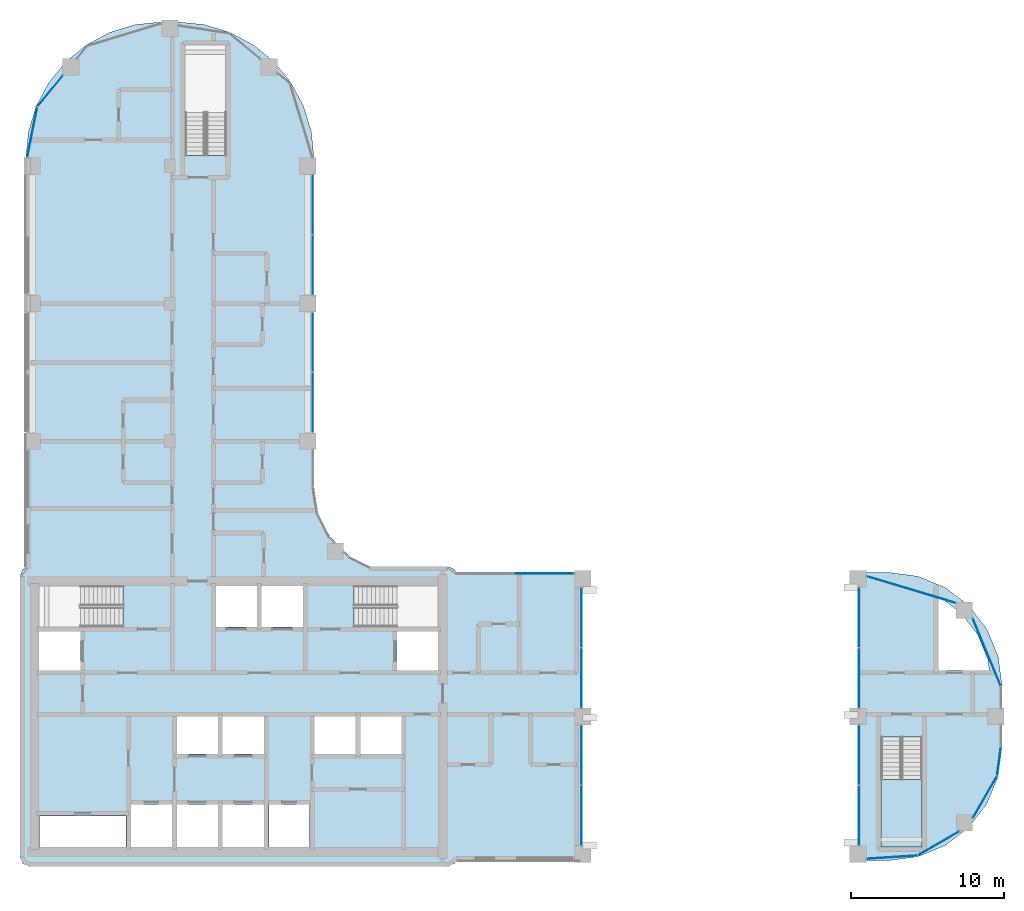
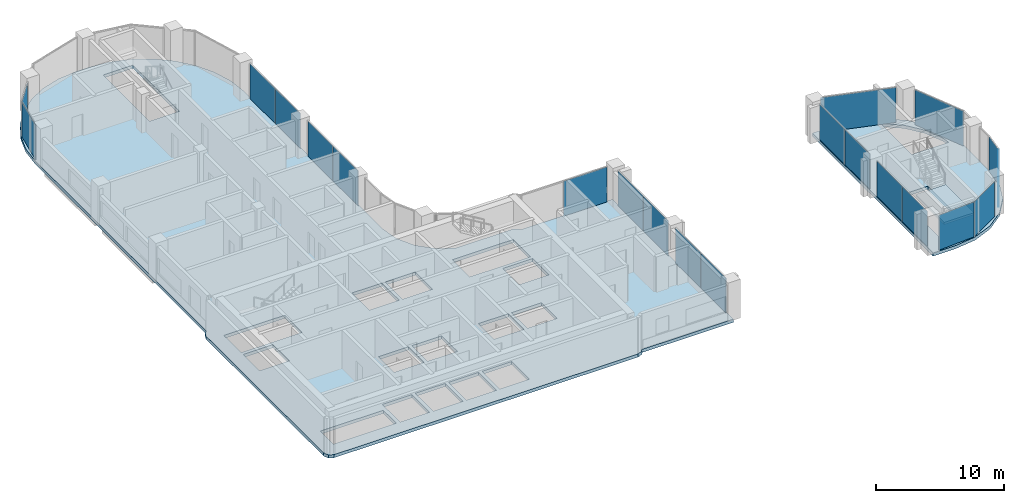
# One storey, part 8 of 21: 21 plates, 3 slabs, 13 elements without a shape of their own.
"""IFC4 building model written with IfcOpenShell, lengths in metres."""

from ifc_helpers import new_model, si_unit, direction, frame, origin, origin_2d, place, context, subcontext, project, spatial, polyline, rectangle, outline, extrude, material, layer, layer_set, type_object, element, aggregate, save


model = new_model("IFC4")

# Units and contexts
model_context = context("Model", 3, precision=1e-05, world=origin(), true_north=direction((0.0, 1.0)))
body_context = subcontext(model_context, "Body", "Model", "MODEL_VIEW")
ifc_project = project(units=[si_unit("LENGTHUNIT", "METRE"), si_unit("AREAUNIT", "SQUARE_METRE"), si_unit("VOLUMEUNIT", "CUBIC_METRE"), si_unit("PLANEANGLEUNIT", "RADIAN"), si_unit("MASSUNIT", "GRAM", prefix="KILO")], contexts=[model_context])

# Site, building, storey
site_placement = place(None, origin())
site = spatial("IfcSite", under=ifc_project, at=site_placement, CompositionType="ELEMENT")
building_placement = place(site_placement, origin())
building = spatial("IfcBuilding", under=site, at=building_placement, Name="Ogive Portal Towers", CompositionType="ELEMENT")
storey_placement = place(building_placement, frame((0.0, 0.0, 157.0)))
storey = spatial("IfcBuildingStorey", under=building, at=storey_placement, Name="L38", CompositionType="ELEMENT", Elevation=157.0)

# Curtain wall, plates
ifc_material_1 = material(Name="Glass, clear low-iron insulated glazing", Category="glass")
curtain_wall_type_1 = type_object("IfcCurtainWallType", Name="CW FRONT RIBBON 4500", PredefinedType="NOTDEFINED", material=ifc_material_1)
curtain_wall_1_placement = place(storey_placement, origin())
curtain_wall_1 = element("IfcCurtainWall", 1, at=curtain_wall_1_placement, inside=storey, type_object=curtain_wall_type_1, Name="A:L38:f06:cw0~1", PredefinedType="NOTDEFINED")
ifc_layer_1 = layer(ifc_material_1, 0.028076171875)
ifc_layer_set_1 = layer_set([ifc_layer_1], Name="CW PANEL IGU 28")
plate_type = type_object("IfcPlateType", Name="CW PANEL IGU 28", PredefinedType="CURTAIN_PANEL", material=ifc_layer_set_1)
plate_1_placement = place(storey_placement, frame((49.844970703125, 51.02490234375, 0.0), z_axis=(0.0, 0.0, 1.0), x_axis=(0.0, 1.0, 0.0)))
plate_1 = element("IfcPlate", 2, at=plate_1_placement, type_object=plate_type, Name="panel", PredefinedType="CURTAIN_PANEL", context=body_context, shape_type="SweptSolid", body=[
    extrude(rectangle(XDim=3.889892578125, YDim=0.028076171875, at=origin_2d()), origin(), (0.0, 0.0, 1.0), 3.340087890625),
])
plate_2_placement = place(storey_placement, frame((49.844970703125, 54.97509765625, 0.0), z_axis=(0.0, 0.0, 1.0), x_axis=(0.0, 1.0, 0.0)))
plate_2 = element("IfcPlate", 3, at=plate_2_placement, type_object=plate_type, Name="panel", PredefinedType="CURTAIN_PANEL", context=body_context, shape_type="SweptSolid", body=[
    extrude(rectangle(XDim=3.889892578125, YDim=0.028076171875, at=origin_2d()), origin(), (0.0, 0.0, 1.0), 3.340087890625),
])
aggregate(curtain_wall_1, [plate_1, plate_2])

curtain_wall_2_placement = place(storey_placement, origin())
curtain_wall_2 = element("IfcCurtainWall", 4, at=curtain_wall_2_placement, inside=storey, type_object=curtain_wall_type_1, Name="A:L38:f06:cw0~2", PredefinedType="NOTDEFINED")
plate_3_placement = place(storey_placement, frame((49.844970703125, 60.02490234375, 0.0), z_axis=(0.0, 0.0, 1.0), x_axis=(0.0, 1.0, 0.0)))
plate_3 = element("IfcPlate", 5, at=plate_3_placement, type_object=plate_type, Name="panel", PredefinedType="CURTAIN_PANEL", context=body_context, shape_type="SweptSolid", body=[
    extrude(rectangle(XDim=3.889892578125, YDim=0.028076171875, at=origin_2d()), origin(), (0.0, 0.0, 1.0), 3.340087890625),
])
plate_4_placement = place(storey_placement, frame((49.844970703125, 63.97509765625, 0.0), z_axis=(0.0, 0.0, 1.0), x_axis=(0.0, 1.0, 0.0)))
plate_4 = element("IfcPlate", 6, at=plate_4_placement, type_object=plate_type, Name="panel", PredefinedType="CURTAIN_PANEL", context=body_context, shape_type="SweptSolid", body=[
    extrude(rectangle(XDim=3.889892578125, YDim=0.028076171875, at=origin_2d()), origin(), (0.0, 0.0, 1.0), 3.340087890625),
])
aggregate(curtain_wall_2, [plate_3, plate_4])

curtain_wall_type_2 = type_object("IfcCurtainWallType", Name="CW PORTAL REVEAL", PredefinedType="NOTDEFINED", material=ifc_material_1)
curtain_wall_3_placement = place(storey_placement, origin())
curtain_wall_3 = element("IfcCurtainWall", 7, at=curtain_wall_3_placement, inside=storey, type_object=curtain_wall_type_2, Name="A:L38:f22:cw0~0", PredefinedType="NOTDEFINED")
plate_5_placement = place(storey_placement, frame((67.419921875, 24.02490234375, 0.0), z_axis=(0.0, 0.0, 1.0), x_axis=(0.0, 1.0, 0.0)))
plate_5 = element("IfcPlate", 8, at=plate_5_placement, type_object=plate_type, Name="panel", PredefinedType="CURTAIN_PANEL", context=body_context, shape_type="SweptSolid", body=[
    extrude(rectangle(XDim=3.889892578125, YDim=0.028076171875, at=origin_2d()), origin(), (0.0, 0.0, 1.0), 3.340087890625),
])
plate_6_placement = place(storey_placement, frame((67.419921875, 27.97509765625, 0.0), z_axis=(0.0, 0.0, 1.0), x_axis=(0.0, 1.0, 0.0)))
plate_6 = element("IfcPlate", 9, at=plate_6_placement, type_object=plate_type, Name="panel", PredefinedType="CURTAIN_PANEL", context=body_context, shape_type="SweptSolid", body=[
    extrude(rectangle(XDim=3.889892578125, YDim=0.028076171875, at=origin_2d()), origin(), (0.0, 0.0, 1.0), 3.340087890625),
])
aggregate(curtain_wall_3, [plate_5, plate_6])

curtain_wall_4_placement = place(storey_placement, origin())
curtain_wall_4 = element("IfcCurtainWall", 10, at=curtain_wall_4_placement, inside=storey, type_object=curtain_wall_type_2, Name="A:L38:f22:cw0~1", PredefinedType="NOTDEFINED")
plate_7_placement = place(storey_placement, frame((67.419921875, 33.02490234375, 0.0), z_axis=(0.0, 0.0, 1.0), x_axis=(0.0, 1.0, 0.0)))
plate_7 = element("IfcPlate", 11, at=plate_7_placement, type_object=plate_type, Name="panel", PredefinedType="CURTAIN_PANEL", context=body_context, shape_type="SweptSolid", body=[
    extrude(rectangle(XDim=3.889892578125, YDim=0.028076171875, at=origin_2d()), origin(), (0.0, 0.0, 1.0), 3.340087890625),
])
plate_8_placement = place(storey_placement, frame((67.419921875, 36.97509765625, 0.0), z_axis=(0.0, 0.0, 1.0), x_axis=(0.0, 1.0, 0.0)))
plate_8 = element("IfcPlate", 12, at=plate_8_placement, type_object=plate_type, Name="panel", PredefinedType="CURTAIN_PANEL", context=body_context, shape_type="SweptSolid", body=[
    extrude(rectangle(XDim=3.889892578125, YDim=0.028076171875, at=origin_2d()), origin(), (0.0, 0.0, 1.0), 3.340087890625),
])
aggregate(curtain_wall_4, [plate_7, plate_8])

# Curtain wall, plate
curtain_wall_5_placement = place(storey_placement, origin())
curtain_wall_5 = element("IfcCurtainWall", 13, at=curtain_wall_5_placement, inside=storey, type_object=curtain_wall_type_1, Name="A:L38:f23:cw0", PredefinedType="NOTDEFINED")
plate_9_placement = place(storey_placement, frame((64.97509765625, 39.844970703125, 0.0), z_axis=(0.0, 0.0, 1.0), x_axis=(-1.0, 0.0, 0.0)))
plate_9 = element("IfcPlate", 14, at=plate_9_placement, type_object=plate_type, Name="panel", PredefinedType="CURTAIN_PANEL", context=body_context, shape_type="SweptSolid", body=[
    extrude(rectangle(XDim=3.889892578125, YDim=0.028076171875, at=origin_2d()), origin(), (0.0, 0.0, 1.0), 3.340087890625),
])
aggregate(curtain_wall_5, [plate_9])

# Curtain wall, plates
curtain_wall_6_placement = place(storey_placement, origin())
curtain_wall_6 = element("IfcCurtainWall", 15, at=curtain_wall_6_placement, inside=storey, type_object=curtain_wall_type_2, Name="A:L38:f24:cw0~0", PredefinedType="NOTDEFINED")
plate_10_placement = place(storey_placement, frame((85.580078125, 36.97509765625, 0.0), z_axis=(0.0, 0.0, 1.0), x_axis=(0.0, -1.0, 0.0)))
plate_10 = element("IfcPlate", 16, at=plate_10_placement, type_object=plate_type, Name="panel", PredefinedType="CURTAIN_PANEL", context=body_context, shape_type="SweptSolid", body=[
    extrude(rectangle(XDim=3.889892578125, YDim=0.028076171875, at=origin_2d()), origin(), (0.0, 0.0, 1.0), 3.340087890625),
])
plate_11_placement = place(storey_placement, frame((85.580078125, 33.02490234375, 0.0), z_axis=(0.0, 0.0, 1.0), x_axis=(0.0, -1.0, 0.0)))
plate_11 = element("IfcPlate", 17, at=plate_11_placement, type_object=plate_type, Name="panel", PredefinedType="CURTAIN_PANEL", context=body_context, shape_type="SweptSolid", body=[
    extrude(rectangle(XDim=3.889892578125, YDim=0.028076171875, at=origin_2d()), origin(), (0.0, 0.0, 1.0), 3.340087890625),
])
aggregate(curtain_wall_6, [plate_10, plate_11])

curtain_wall_7_placement = place(storey_placement, origin())
curtain_wall_7 = element("IfcCurtainWall", 18, at=curtain_wall_7_placement, inside=storey, type_object=curtain_wall_type_2, Name="A:L38:f24:cw0~1", PredefinedType="NOTDEFINED")
plate_12_placement = place(storey_placement, frame((85.580078125, 27.97509765625, 0.0), z_axis=(0.0, 0.0, 1.0), x_axis=(0.0, -1.0, 0.0)))
plate_12 = element("IfcPlate", 19, at=plate_12_placement, type_object=plate_type, Name="panel", PredefinedType="CURTAIN_PANEL", context=body_context, shape_type="SweptSolid", body=[
    extrude(rectangle(XDim=3.889892578125, YDim=0.028076171875, at=origin_2d()), origin(), (0.0, 0.0, 1.0), 3.340087890625),
])
plate_13_placement = place(storey_placement, frame((85.580078125, 24.02490234375, 0.0), z_axis=(0.0, 0.0, 1.0), x_axis=(0.0, -1.0, 0.0)))
plate_13 = element("IfcPlate", 20, at=plate_13_placement, type_object=plate_type, Name="panel", PredefinedType="CURTAIN_PANEL", context=body_context, shape_type="SweptSolid", body=[
    extrude(rectangle(XDim=3.889892578125, YDim=0.028076171875, at=origin_2d()), origin(), (0.0, 0.0, 1.0), 3.340087890625),
])
aggregate(curtain_wall_7, [plate_12, plate_13])

curtain_wall_8_placement = place(storey_placement, origin())
curtain_wall_8 = element("IfcCurtainWall", 21, at=curtain_wall_8_placement, inside=storey, type_object=curtain_wall_type_1, Name="A:L38:f07:cwa~3", PredefinedType="NOTDEFINED")
plate_14_placement = place(storey_placement, frame((32.667236328125, 71.401611328125, 0.0), z_axis=(0.0, 0.0, 1.0), x_axis=(-0.634393284164, -0.773010453363, 0.0)))
plate_14 = element("IfcPlate", 22, at=plate_14_placement, type_object=plate_type, Name="panel", PredefinedType="CURTAIN_PANEL", context=body_context, shape_type="SweptSolid", body=[
    extrude(rectangle(XDim=2.582763671875, YDim=0.028076171875, at=origin_2d()), origin(), (0.0, 0.0, 1.0), 3.340087890625),
])
plate_15_placement = place(storey_placement, frame((31.497802734375, 68.715087890625, 0.0), z_axis=(0.0, 0.0, 1.0), x_axis=(-0.195090322016, -0.980785280403, 0.0)))
plate_15 = element("IfcPlate", 23, at=plate_15_placement, type_object=plate_type, Name="panel", PredefinedType="CURTAIN_PANEL", context=body_context, shape_type="SweptSolid", body=[
    extrude(rectangle(XDim=3.33544921875, YDim=0.028076171875, at=origin_2d()), origin(), (0.0, 0.0, 1.0), 3.340087890625),
])
aggregate(curtain_wall_8, [plate_14, plate_15])

curtain_wall_9_placement = place(storey_placement, origin())
curtain_wall_9 = element("IfcCurtainWall", 24, at=curtain_wall_9_placement, inside=storey, type_object=curtain_wall_type_1, Name="A:L38:f25:cwa~0", PredefinedType="NOTDEFINED")
plate_16_placement = place(storey_placement, frame((87.723876953125, 21.298583984375, 0.0), z_axis=(0.0, 0.0, 1.0), x_axis=(0.997925540949, 0.064378682198, 0.0)))
plate_16 = element("IfcPlate", 25, at=plate_16_placement, type_object=plate_type, Name="panel", PredefinedType="CURTAIN_PANEL", context=body_context, shape_type="SweptSolid", body=[
    extrude(rectangle(XDim=3.294921875, YDim=0.028076171875, at=origin_2d()), origin(), (0.0, 0.0, 1.0), 3.340087890625),
])
plate_17_placement = place(storey_placement, frame((90.77783203125, 22.203369140625, 0.0), z_axis=(0.0, 0.0, 1.0), x_axis=(0.866025403784, 0.5, 0.0)))
plate_17 = element("IfcPlate", 26, at=plate_17_placement, type_object=plate_type, Name="panel", PredefinedType="CURTAIN_PANEL", context=body_context, shape_type="SweptSolid", body=[
    extrude(rectangle(XDim=3.126708984375, YDim=0.028076171875, at=origin_2d()), origin(), (0.0, 0.0, 1.0), 3.340087890625),
])
aggregate(curtain_wall_9, [plate_16, plate_17])

curtain_wall_10_placement = place(storey_placement, origin())
curtain_wall_10 = element("IfcCurtainWall", 27, at=curtain_wall_10_placement, inside=storey, type_object=curtain_wall_type_1, Name="A:L38:f25:cwa~1", PredefinedType="NOTDEFINED")
plate_18_placement = place(storey_placement, frame((93.79736328125, 25.223388671875, 0.0), z_axis=(0.0, 0.0, 1.0), x_axis=(0.5, 0.866025403784, 0.0)))
plate_18 = element("IfcPlate", 28, at=plate_18_placement, type_object=plate_type, Name="panel", PredefinedType="CURTAIN_PANEL", context=body_context, shape_type="SweptSolid", body=[
    extrude(rectangle(XDim=3.129638671875, YDim=0.028076171875, at=origin_2d()), origin(), (0.0, 0.0, 1.0), 3.340087890625),
])
plate_19_placement = place(storey_placement, frame((94.719970703125, 27.554931640625, 0.0), z_axis=(0.0, 0.0, 1.0), x_axis=(0.13052619222, 0.991444861374, 0.0)))
plate_19 = element("IfcPlate", 29, at=plate_19_placement, type_object=plate_type, Name="panel", PredefinedType="CURTAIN_PANEL", context=body_context, shape_type="SweptSolid", body=[
    extrude(rectangle(XDim=1.857177734375, YDim=0.028076171875, at=origin_2d()), origin(), (0.0, 0.0, 1.0), 3.340087890625),
])
aggregate(curtain_wall_10, [plate_18, plate_19])

# Curtain wall, plate
curtain_wall_11_placement = place(storey_placement, origin())
curtain_wall_11 = element("IfcCurtainWall", 30, at=curtain_wall_11_placement, inside=storey, type_object=curtain_wall_type_1, Name="A:L38:f30:cwa~0", PredefinedType="NOTDEFINED")
plate_20_placement = place(storey_placement, frame((93.922607421875, 34.711181640625, 0.0), z_axis=(0.0, 0.0, 1.0), x_axis=(-0.382683432365, 0.923879532511, 0.0)))
plate_20 = element("IfcPlate", 31, at=plate_20_placement, type_object=plate_type, Name="panel", PredefinedType="CURTAIN_PANEL", context=body_context, shape_type="SweptSolid", body=[
    extrude(rectangle(XDim=4.76123046875, YDim=0.028076171875, at=origin_2d()), origin(), (0.0, 0.0, 1.0), 3.340087890625),
])
aggregate(curtain_wall_11, [plate_20])

curtain_wall_12_placement = place(storey_placement, origin())
curtain_wall_12 = element("IfcCurtainWall", 32, at=curtain_wall_12_placement, inside=storey, type_object=curtain_wall_type_1, Name="A:L38:f30:cwa~1", PredefinedType="NOTDEFINED")
plate_21_placement = place(storey_placement, frame((88.97509765625, 38.799072265625, 0.0), z_axis=(0.0, 0.0, 1.0), x_axis=(-0.95783894531, 0.287305681891, 0.0)))
plate_21 = element("IfcPlate", 33, at=plate_21_placement, type_object=plate_type, Name="panel", PredefinedType="CURTAIN_PANEL", context=body_context, shape_type="SweptSolid", body=[
    extrude(rectangle(XDim=6.047607421875, YDim=0.028076171875, at=origin_2d()), origin(), (0.0, 0.0, 1.0), 3.340087890625),
])
aggregate(curtain_wall_12, [plate_21])

# Stair, slab
ifc_material_2 = material(Name="Concrete C40/50", Category="concrete")
stair_type = type_object("IfcStairType", Name="INT-STAIR", PredefinedType="HALF_TURN_STAIR", material=ifc_material_2)
stair_placement = place(storey_placement, origin())
stair = element("IfcStair", 34, at=stair_placement, inside=storey, type_object=stair_type, Name="L38 Exit Stair ST-A4", PredefinedType="HALF_TURN_STAIR")
ifc_layer_2 = layer(ifc_material_2, 0.199951171875)
ifc_layer_set_2 = layer_set([ifc_layer_2], Name="INT-LANDING")
slab_type_1 = type_object("IfcSlabType", Name="INT-LANDING", PredefinedType="LANDING", material=ifc_layer_set_2)
slab_1_placement = place(storey_placement, frame((0.0, 0.0, 1.64990234375)))
slab_1 = element("IfcSlab", 35, at=slab_1_placement, type_object=slab_type_1, Name="ST-A4 landing 1", PredefinedType="LANDING", context=body_context, shape_type="SweptSolid", body=[
    extrude(outline(polyline([(87.0, 26.3701171875), (87.0, 21.949951171875), (89.699951171875, 21.949951171875), (89.699951171875, 26.3701171875), (87.0, 26.3701171875)])), origin(), (0.0, 0.0, 1.0), 0.2001953125),
])
aggregate(stair, [slab_1])

# Slabs
ifc_material_3 = material(Name="Concrete C45/55", Category="concrete")
ifc_layer_3 = layer(ifc_material_3, 0.300048828125)
ifc_layer_set_3 = layer_set([ifc_layer_3], Name="PT FLAT PLATE 300")
slab_type_2 = type_object("IfcSlabType", Name="PT FLAT PLATE 300", PredefinedType="FLOOR", material=ifc_layer_set_3)
slab_2_placement = place(storey_placement, frame((0.0, 0.0, -0.300048828125)))
element("IfcSlab", 36, at=slab_2_placement, inside=storey, type_object=slab_type_2, Name="Floor slab L38", PredefinedType="FLOOR", context=body_context, shape_type="SweptSolid", body=[
    extrude(outline(polyline([(59.124267578125, 20.875732421875), (59.206787109375, 21.074951171875), (67.5, 21.074951171875), (67.5, 39.925048828125), (59.206787109375, 39.925048828125), (59.124267578125, 40.124267578125), (58.699951171875, 40.300048828125), (53.576904296875, 40.300048828125), (52.22314453125, 40.98974609375), (50.98974609375, 42.22314453125), (50.197998046875, 43.777099609375), (49.925048828125, 45.5), (49.925048828125, 67.0), (49.75341796875, 68.7412109375), (49.24560546875, 70.415283203125), (48.4208984375, 71.95849609375), (47.310791015625, 73.310791015625), (45.95849609375, 74.4208984375), (44.415283203125, 75.24560546875), (42.7412109375, 75.75341796875), (41.0, 75.925048828125), (40.0, 75.925048828125), (38.2587890625, 75.75341796875), (36.584716796875, 75.24560546875), (35.04150390625, 74.4208984375), (33.689208984375, 73.310791015625), (32.5791015625, 71.95849609375), (31.75439453125, 70.415283203125), (31.24658203125, 68.7412109375), (31.074951171875, 67.0), (31.074951171875, 40.206787109375), (30.875732421875, 40.124267578125), (30.699951171875, 39.699951171875), (30.699951171875, 21.300048828125), (30.875732421875, 20.875732421875), (31.300048828125, 20.699951171875), (58.699951171875, 20.699951171875), (59.124267578125, 20.875732421875)]), holes=[polyline([(37.6298828125, 21.969970703125), (31.969970703125, 21.969970703125), (31.969970703125, 24.0029296875), (37.6298828125, 24.0029296875), (37.6298828125, 21.969970703125)]), polyline([(40.6298828125, 21.969970703125), (37.969970703125, 21.969970703125), (37.969970703125, 24.72998046875), (40.6298828125, 24.72998046875), (40.6298828125, 21.969970703125)]), polyline([(43.64990234375, 24.75), (43.64990234375, 21.949951171875), (40.949951171875, 21.949951171875), (40.949951171875, 24.75), (43.64990234375, 24.75)]), polyline([(46.64990234375, 24.75), (46.64990234375, 21.949951171875), (43.949951171875, 21.949951171875), (43.949951171875, 24.75), (46.64990234375, 24.75)]), polyline([(43.64990234375, 30.5), (43.64990234375, 28.050048828125), (40.949951171875, 28.050048828125), (40.949951171875, 30.5), (43.64990234375, 30.5)]), polyline([(34.64990234375, 36.050048828125), (34.64990234375, 33.5), (31.949951171875, 33.5), (31.949951171875, 36.050048828125), (34.64990234375, 36.050048828125)]), polyline([(31.951904296875, 39.048095703125), (37.447998046875, 39.048095703125), (37.447998046875, 36.35205078125), (31.951904296875, 36.35205078125), (31.951904296875, 39.048095703125)]), polyline([(46.199951171875, 36.35009765625), (43.5, 36.35009765625), (43.5, 39.050048828125), (46.199951171875, 39.050048828125), (46.199951171875, 36.35009765625)]), polyline([(44.197998046875, 67.201904296875), (41.501953125, 67.201904296875), (41.501953125, 74.447998046875), (44.197998046875, 74.447998046875), (44.197998046875, 67.201904296875)]), polyline([(49.6298828125, 21.969970703125), (46.969970703125, 21.969970703125), (46.969970703125, 24.72998046875), (49.6298828125, 24.72998046875), (49.6298828125, 21.969970703125)]), polyline([(46.64990234375, 30.5), (46.64990234375, 28.050048828125), (43.949951171875, 28.050048828125), (43.949951171875, 30.5), (46.64990234375, 30.5)]), polyline([(52.64990234375, 30.5), (52.64990234375, 28.050048828125), (49.949951171875, 28.050048828125), (49.949951171875, 30.5), (52.64990234375, 30.5)]), polyline([(55.64990234375, 30.5), (55.64990234375, 28.050048828125), (52.949951171875, 28.050048828125), (52.949951171875, 30.5), (55.64990234375, 30.5)]), polyline([(58.050048828125, 36.050048828125), (58.050048828125, 33.5), (55.35009765625, 33.5), (55.35009765625, 36.050048828125), (58.050048828125, 36.050048828125)]), polyline([(49.199951171875, 36.35009765625), (46.5, 36.35009765625), (46.5, 39.050048828125), (49.199951171875, 39.050048828125), (49.199951171875, 36.35009765625)]), polyline([(52.552001953125, 36.35205078125), (52.552001953125, 39.048095703125), (58.048095703125, 39.048095703125), (58.048095703125, 36.35205078125), (52.552001953125, 36.35205078125)])]), origin(), (0.0, 0.0, 1.0), 0.300048828125),
])
slab_3_placement = place(storey_placement, frame((0.0, 0.0, -0.300048828125)))
element("IfcSlab", 37, at=slab_3_placement, inside=storey, type_object=slab_type_2, Name="Floor slab L38", PredefinedType="FLOOR", context=body_context, shape_type="SweptSolid", body=[
    extrude(outline(polyline([(91.21240234375, 38.93017578125), (89.421630859375, 39.672119140625), (87.5, 39.925048828125), (85.5, 39.925048828125), (85.5, 21.074951171875), (87.5, 21.074951171875), (89.421630859375, 21.327880859375), (91.21240234375, 22.06982421875), (92.750244140625, 23.249755859375), (93.93017578125, 24.78759765625), (94.672119140625, 26.578369140625), (94.925048828125, 28.5), (94.925048828125, 32.5), (94.672119140625, 34.421630859375), (93.93017578125, 36.21240234375), (92.750244140625, 37.750244140625), (91.21240234375, 38.93017578125)]), holes=[polyline([(87.001953125, 21.951904296875), (87.001953125, 29.16796875), (89.697998046875, 29.16796875), (89.697998046875, 21.951904296875), (87.001953125, 21.951904296875)]), polyline([(92.2509765625, 37.2509765625), (93.31884765625, 35.859619140625), (93.989990234375, 34.239013671875), (94.084716796875, 33.52001953125), (90.77001953125, 33.52001953125), (90.77001953125, 38.35595703125), (90.859619140625, 38.31884765625), (92.2509765625, 37.2509765625)])]), origin(), (0.0, 0.0, 1.0), 0.300048828125),
])

save(model, "model.ifc")
